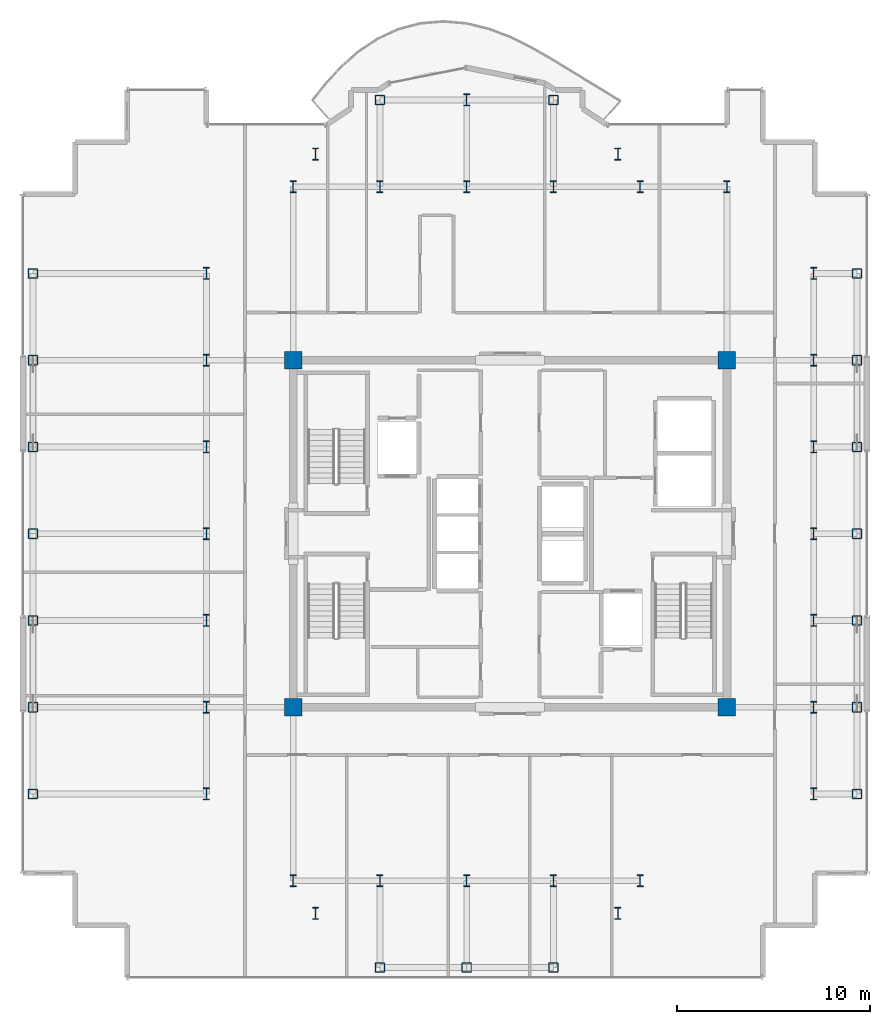
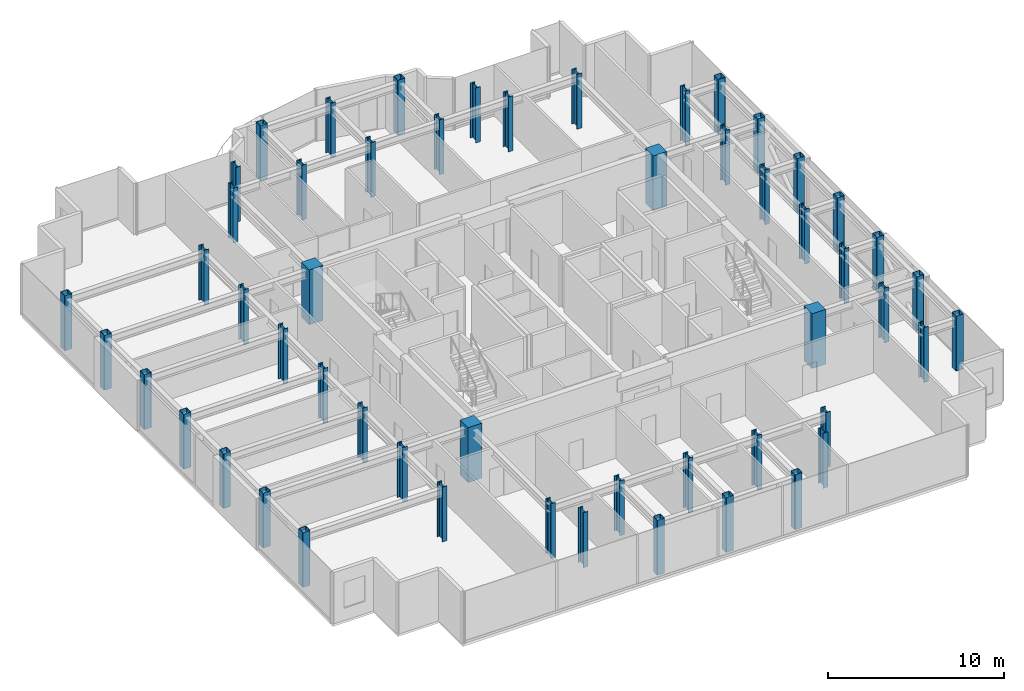
# One storey, part 1 of 16: 53 columns.
"""IFC4 building model written with IfcOpenShell, lengths in metres."""

from ifc_helpers import new_model, si_unit, direction, frame, origin, origin_2d, place, context, subcontext, project, spatial, rectangle, hollow_rectangle, i_section, extrude, source, transform, mapped, material, material_profile, profile_set, type_object, element, save


model = new_model("IFC4")

# Units and contexts
model_context = context("Model", 3, precision=1e-05, world=origin(), true_north=direction((0.0, 1.0)))
body_context = subcontext(model_context, "Body", "Model", "MODEL_VIEW")
ifc_project = project(units=[si_unit("LENGTHUNIT", "METRE"), si_unit("AREAUNIT", "SQUARE_METRE"), si_unit("VOLUMEUNIT", "CUBIC_METRE"), si_unit("PLANEANGLEUNIT", "RADIAN"), si_unit("MASSUNIT", "GRAM", prefix="KILO")], contexts=[model_context])

# Site, building, storey
site_placement = place(None, origin())
site = spatial("IfcSite", under=ifc_project, at=site_placement, CompositionType="ELEMENT")
building_placement = place(site_placement, origin())
building = spatial("IfcBuilding", under=site, at=building_placement, Name="Nefas-Gora Pilgrimage Tower", CompositionType="ELEMENT")
storey_placement = place(building_placement, frame((0.0, 0.0, 322.39990234375)))
storey = spatial("IfcBuildingStorey", under=building, at=storey_placement, Name="L81", CompositionType="ELEMENT", Elevation=322.39990234375)

# Columns
ifc_material_1 = material(Name="Steel S355", Category="steel")
ifc_material_profile_1 = material_profile(ifc_material_1, i_section(OverallWidth=0.304931640625, OverallDepth=0.6201171875, WebThickness=0.02099609375, FlangeThickness=0.0400390625, FilletRadius=0.027099609375, at=origin_2d()), Name="HEM 600")
ifc_profile_set_1 = profile_set([ifc_material_profile_1], Name="Steel S355")
column_type_1 = type_object("IfcColumnType", Name="COL-WEB-HEM600", PredefinedType="COLUMN", material=ifc_profile_set_1)
shared_shape_1 = source(origin(), body_context, "Body", "SweptSolid", [
    extrude(i_section(OverallWidth=0.304931640625, OverallDepth=0.6201171875, WebThickness=0.02099609375, FlangeThickness=0.0400390625, FilletRadius=0.027099609375, at=origin_2d()), origin(), (0.0, 0.0, 1.0), 3.800048828125),
])
for number, where, z_axis, x_axis, name in (
    (1, (-15.75, -13.5, 0.0), (0.0, 0.0, 1.0), (1.0, 0.0, 0.0), "L81 Tower Column CW-03.8"),
    (2, (-15.75, -9.0, 0.0), (0.0, 0.0, 1.0), (1.0, 0.0, 0.0), "L81 Tower Column CW-03.9"),
    (3, (-15.75, -4.5, 0.0), (0.0, 0.0, 1.0), (1.0, 0.0, 0.0), "L81 Tower Column CW-03.10"),
    (4, (-15.75, 0.0, 0.0), (0.0, 0.0, 1.0), (1.0, 0.0, 0.0), "L81 Tower Column CW-03.11"),
    (5, (-15.75, 4.5, 0.0), (0.0, 0.0, 1.0), (1.0, 0.0, 0.0), "L81 Tower Column CW-03.12"),
    (6, (-15.75, 9.0, 0.0), (0.0, 0.0, 1.0), (1.0, 0.0, 0.0), "L81 Tower Column CW-03.13"),
    (7, (-15.75, 13.5, 0.0), (0.0, 0.0, 1.0), (1.0, 0.0, 0.0), "L81 Tower Column CW-03.14"),
    (8, (-11.25, -18.0, 0.0), (0.0, 0.0, 1.0), (1.0, 0.0, 0.0), "L81 Tower Column CW-03.15"),
    (9, (-11.25, 18.0, 0.0), (0.0, 0.0, 1.0), (1.0, 0.0, 0.0), "L81 Tower Column CW-03.18"),
    (10, (-10.091064453125, -19.696044921875, 0.0), (0.0, 0.0, 1.0), (1.0, 0.0, 0.0), "L81 Tower Column CW-03.19"),
    (11, (-10.091064453125, 19.696044921875, 0.0), (0.0, 0.0, 1.0), (1.0, 0.0, 0.0), "L81 Tower Column CW-03.20"),
    (12, (-6.75, -18.0, 0.0), (0.0, 0.0, 1.0), (1.0, 0.0, 0.0), "L81 Tower Column CW-03.22"),
    (13, (-6.75, 18.0, 0.0), (0.0, 0.0, 1.0), (1.0, 0.0, 0.0), "L81 Tower Column CW-03.23"),
    (14, (-2.25, -18.0, 0.0), (0.0, 0.0, 1.0), (1.0, 0.0, 0.0), "L81 Tower Column CW-03.26"),
    (15, (-2.25, 18.0, 0.0), (0.0, 0.0, 1.0), (1.0, 0.0, 0.0), "L81 Tower Column CW-03.27"),
    (16, (-2.25, 22.5, 0.0), (0.0, 0.0, 1.0), (1.0, 0.0, 0.0), "L81 Tower Column CW-03.28"),
    (17, (2.25, -18.0, 0.0), (0.0, 0.0, 1.0), (1.0, 0.0, 0.0), "L81 Tower Column CW-03.30"),
    (18, (2.25, 18.0, 0.0), (0.0, 0.0, 1.0), (1.0, 0.0, 0.0), "L81 Tower Column CW-03.31"),
    (19, (5.591064453125, -19.696044921875, 0.0), (0.0, 0.0, 1.0), (1.0, 0.0, 0.0), "L81 Tower Column CW-03.33"),
    (20, (5.591064453125, 19.696044921875, 0.0), (0.0, 0.0, 1.0), (1.0, 0.0, 0.0), "L81 Tower Column CW-03.34"),
    (21, (6.75, -18.0, 0.0), (0.0, 0.0, 1.0), (1.0, 0.0, 0.0), "L81 Tower Column CW-03.35"),
    (22, (6.75, 18.0, 0.0), (0.0, 0.0, 1.0), (1.0, 0.0, 0.0), "L81 Tower Column CW-03.36"),
    (23, (11.25, 18.0, 0.0), (0.0, 0.0, 1.0), (1.0, 0.0, 0.0), "L81 Tower Column CW-03.39"),
    (24, (15.75, -13.5, 0.0), (0.0, 0.0, 1.0), (1.0, 0.0, 0.0), "L81 Tower Column CW-03.40"),
    (25, (15.75, -9.0, 0.0), (0.0, 0.0, 1.0), (1.0, 0.0, 0.0), "L81 Tower Column CW-03.41"),
    (26, (15.75, -4.5, 0.0), (0.0, 0.0, 1.0), (1.0, 0.0, 0.0), "L81 Tower Column CW-03.42"),
    (27, (15.75, 0.0, 0.0), (0.0, 0.0, 1.0), (1.0, 0.0, 0.0), "L81 Tower Column CW-03.43"),
    (28, (15.75, 4.5, 0.0), (0.0, 0.0, 1.0), (1.0, 0.0, 0.0), "L81 Tower Column CW-03.44"),
    (29, (15.75, 9.0, 0.0), (0.0, 0.0, 1.0), (1.0, 0.0, 0.0), "L81 Tower Column CW-03.45"),
    (30, (15.75, 13.5, 0.0), (0.0, 0.0, 1.0), (1.0, 0.0, 0.0), "L81 Tower Column CW-03.46"),
):
    element("IfcColumn", number, at=place(storey_placement, frame(where, z_axis=z_axis, x_axis=x_axis)), inside=storey, type_object=column_type_1, Name=name, PredefinedType="COLUMN", context=body_context, shape_type="MappedRepresentation", body=[
        mapped(shared_shape_1, transform((0.0, 0.0, 0.0), x_axis=(1.0, 0.0, 0.0), y_axis=(0.0, 1.0, 0.0), z_axis=(0.0, 0.0, 1.0), scale=1.0)),
    ])
ifc_material_profile_2 = material_profile(ifc_material_1, hollow_rectangle(XDim=0.5, YDim=0.5, WallThickness=0.02490234375, InnerFilletRadius=0.02490234375, OuterFilletRadius=0.050048828125, at=origin_2d()), Name="SHS 500x500x25")
ifc_profile_set_2 = profile_set([ifc_material_profile_2], Name="Steel S355")
column_type_2 = type_object("IfcColumnType", Name="COL-TUBE-500", PredefinedType="COLUMN", material=ifc_profile_set_2)
shared_shape_2 = source(origin(), body_context, "Body", "SweptSolid", [
    extrude(hollow_rectangle(XDim=0.5, YDim=0.5, WallThickness=0.02490234375, InnerFilletRadius=0.02490234375, OuterFilletRadius=0.050048828125, at=origin_2d()), origin(), (0.0, 0.0, 1.0), 3.800048828125),
])
for number, where, z_axis, x_axis, name in (
    (31, (-24.75, -13.5, 0.0), (0.0, 0.0, 1.0), (1.0, 0.0, 0.0), "L81 Tower Column C-Z4.1"),
    (32, (-24.75, -9.0, 0.0), (0.0, 0.0, 1.0), (1.0, 0.0, 0.0), "L81 Tower Column C-Z4.2"),
    (33, (-24.75, -4.5, 0.0), (0.0, 0.0, 1.0), (1.0, 0.0, 0.0), "L81 Tower Column C-Z4.3"),
    (34, (-24.75, 0.0, 0.0), (0.0, 0.0, 1.0), (1.0, 0.0, 0.0), "L81 Tower Column C-Z4.4"),
    (35, (-24.75, 4.5, 0.0), (0.0, 0.0, 1.0), (1.0, 0.0, 0.0), "L81 Tower Column C-Z4.5"),
    (36, (-24.75, 9.0, 0.0), (0.0, 0.0, 1.0), (1.0, 0.0, 0.0), "L81 Tower Column C-Z4.6"),
    (37, (-24.75, 13.5, 0.0), (0.0, 0.0, 1.0), (1.0, 0.0, 0.0), "L81 Tower Column C-Z4.7"),
    (38, (-6.75, -22.5, 0.0), (0.0, 0.0, 1.0), (1.0, 0.0, 0.0), "L81 Tower Column C-Z4.21"),
    (39, (-6.75, 22.5, 0.0), (0.0, 0.0, 1.0), (1.0, 0.0, 0.0), "L81 Tower Column C-Z4.24"),
    (40, (-2.25, -22.5, 0.0), (0.0, 0.0, 1.0), (1.0, 0.0, 0.0), "L81 Tower Column C-Z4.25"),
    (41, (2.25, -22.5, 0.0), (0.0, 0.0, 1.0), (1.0, 0.0, 0.0), "L81 Tower Column C-Z4.29"),
    (42, (2.25, 22.5, 0.0), (0.0, 0.0, 1.0), (1.0, 0.0, 0.0), "L81 Tower Column C-Z4.32"),
    (43, (18.0, -13.5, 0.0), (0.0, 0.0, 1.0), (1.0, 0.0, 0.0), "L81 Tower Column C-Z4.47"),
    (44, (18.0, -9.0, 0.0), (0.0, 0.0, 1.0), (1.0, 0.0, 0.0), "L81 Tower Column C-Z4.48"),
    (45, (18.0, -4.5, 0.0), (0.0, 0.0, 1.0), (1.0, 0.0, 0.0), "L81 Tower Column C-Z4.49"),
    (46, (18.0, 0.0, 0.0), (0.0, 0.0, 1.0), (1.0, 0.0, 0.0), "L81 Tower Column C-Z4.50"),
    (47, (18.0, 4.5, 0.0), (0.0, 0.0, 1.0), (1.0, 0.0, 0.0), "L81 Tower Column C-Z4.51"),
    (48, (18.0, 9.0, 0.0), (0.0, 0.0, 1.0), (1.0, 0.0, 0.0), "L81 Tower Column C-Z4.52"),
    (49, (18.0, 13.5, 0.0), (0.0, 0.0, 1.0), (1.0, 0.0, 0.0), "L81 Tower Column C-Z4.53"),
):
    element("IfcColumn", number, at=place(storey_placement, frame(where, z_axis=z_axis, x_axis=x_axis)), inside=storey, type_object=column_type_2, Name=name, PredefinedType="COLUMN", context=body_context, shape_type="MappedRepresentation", body=[
        mapped(shared_shape_2, transform((0.0, 0.0, 0.0), x_axis=(1.0, 0.0, 0.0), y_axis=(0.0, 1.0, 0.0), z_axis=(0.0, 0.0, 1.0), scale=1.0)),
    ])
ifc_material_2 = material(Name="Concrete C50/60", Category="concrete")
ifc_material_profile_3 = material_profile(ifc_material_2, rectangle(XDim=0.89990234375, YDim=0.89990234375, at=origin_2d()), Name="RC 900x900")
ifc_profile_set_3 = profile_set([ifc_material_profile_3], Name="Concrete C50/60")
column_type_3 = type_object("IfcColumnType", Name="COL-RC-900", PredefinedType="COLUMN", material=ifc_profile_set_3)
shared_shape_3 = source(origin(), body_context, "Body", "SweptSolid", [
    extrude(rectangle(XDim=0.89990234375, YDim=0.89990234375, at=origin_2d()), origin(), (0.0, 0.0, 1.0), 3.800048828125),
])
for number, where, z_axis, x_axis, name in (
    (50, (-11.25, -9.0, 0.0), (0.0, 0.0, 1.0), (1.0, 0.0, 0.0), "L81 Tower Column CRC-02.16"),
    (51, (-11.25, 9.0, 0.0), (0.0, 0.0, 1.0), (1.0, 0.0, 0.0), "L81 Tower Column CRC-02.17"),
    (52, (11.25, -9.0, 0.0), (0.0, 0.0, 1.0), (1.0, 0.0, 0.0), "L81 Tower Column CRC-02.37"),
    (53, (11.25, 9.0, 0.0), (0.0, 0.0, 1.0), (1.0, 0.0, 0.0), "L81 Tower Column CRC-02.38"),
):
    element("IfcColumn", number, at=place(storey_placement, frame(where, z_axis=z_axis, x_axis=x_axis)), inside=storey, type_object=column_type_3, Name=name, PredefinedType="COLUMN", context=body_context, shape_type="MappedRepresentation", body=[
        mapped(shared_shape_3, transform((0.0, 0.0, 0.0), x_axis=(1.0, 0.0, 0.0), y_axis=(0.0, 1.0, 0.0), z_axis=(0.0, 0.0, 1.0), scale=1.0)),
    ])

save(model, "model.ifc")
